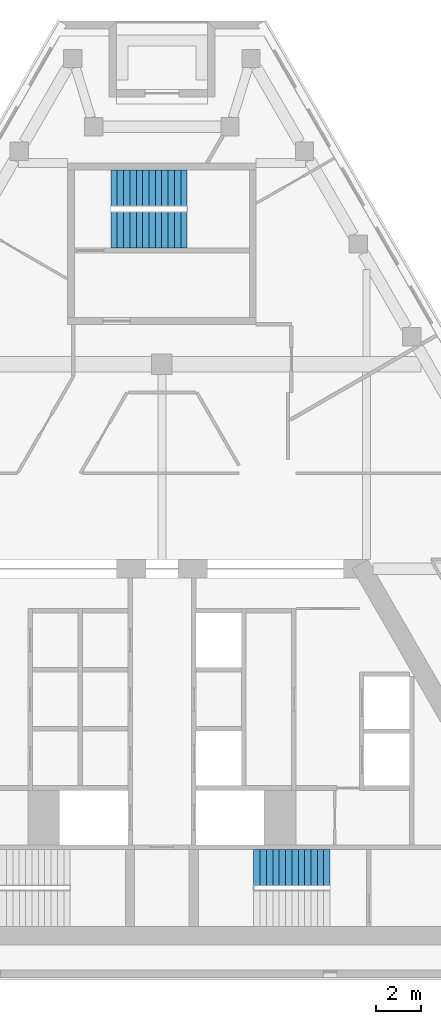
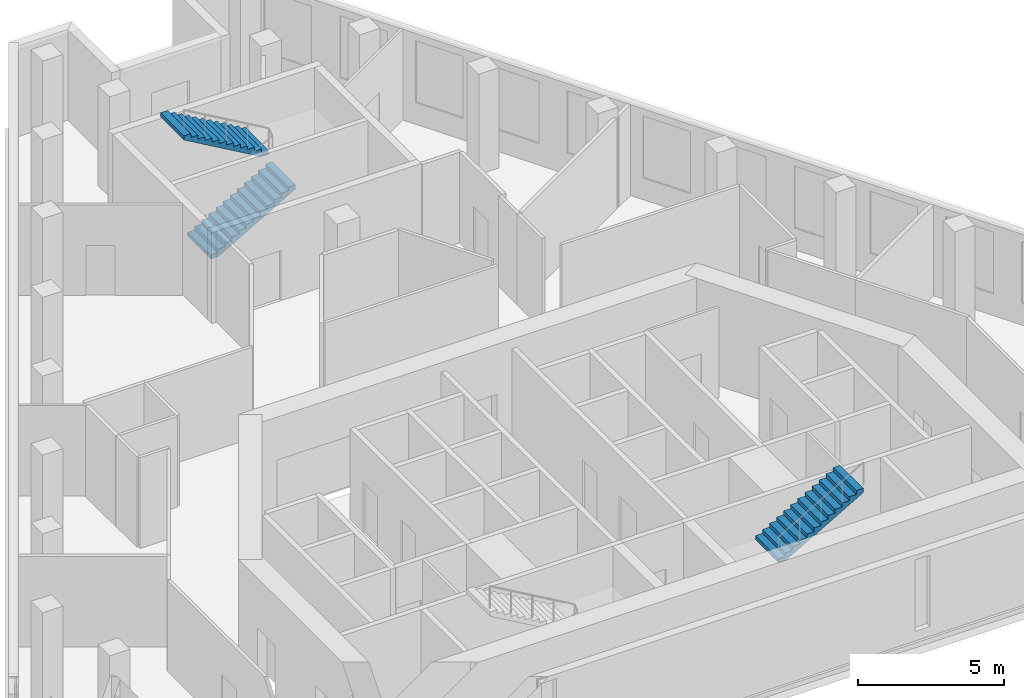
# One storey, part 7 of 8: 3 stair flights, 2 elements without a shape of their own.
"""IFC4 building model written with IfcOpenShell, lengths in metres."""

import ifcopenshell
import ifcopenshell.guid

model = None  # the IFC model being written
_history = None  # IfcOwnerHistory: only IFC2X3 demands one
_inside = {}  # id of a spatial element -> (the spatial element, [elements in it])
_under = {}  # id of a project, library or spatial element -> (it, [spatial elements below it])
_declared = {}  # id of a project -> (the project, [libraries it declares])
_typed = {}  # id of a type object -> (the type object, [elements of that type])
_made_of = {}  # id of a material, layer set ... -> (it, [elements and type objects made of it])


def new_model(schema):
    """Start an empty IFC model of exactly this schema.

    Asked for "IFC4X3", IfcOpenShell would pick the latest addendum, in which some entities
    have other attributes; the version numbers below select the first issue.
    IFC2X3 requires an IfcOwnerHistory on every rooted entity: one is made here for all.
    """
    global model, _history
    if schema == "IFC4X3":
        model = ifcopenshell.file(schema_version=(4, 3, 0, 0))
    else:
        model = ifcopenshell.file(schema=schema)
    _inside.clear()
    _under.clear()
    _declared.clear()
    _typed.clear()
    _made_of.clear()
    _history = None
    if model.schema == "IFC2X3":
        org = make("IfcOrganization", Name="unknown")
        user = make(
            "IfcPersonAndOrganization",
            ThePerson=make("IfcPerson", FamilyName="unknown"),
            TheOrganization=org,
        )
        app = make(
            "IfcApplication",
            ApplicationDeveloper=org,
            Version="unknown",
            ApplicationFullName="unknown",
            ApplicationIdentifier="unknown",
        )
        _history = make(
            "IfcOwnerHistory",
            OwningUser=user,
            OwningApplication=app,
            ChangeAction="ADDED",
            CreationDate=0,
        )
    return model


def make(cls, **values):
    """One entity of the class cls with the attributes given. An attribute that is None is left unset."""
    return model.create_entity(
        cls, **{name: value for name, value in values.items() if value is not None}
    )


def rooted(cls, **values):
    """An entity with a GlobalId (a new one), such as an element, a storey or a relation."""
    return make(cls, GlobalId=ifcopenshell.guid.new(), OwnerHistory=_history, **values)


def si_unit(unit_type, name, prefix=None):
    """IfcSIUnit, for example si_unit("LENGTHUNIT", "METRE", prefix="MILLI")."""
    return make("IfcSIUnit", UnitType=unit_type, Prefix=prefix, Name=name)


def assignment(units):
    """IfcUnitAssignment: the units of a project."""
    return None if units is None else make("IfcUnitAssignment", Units=units)


def point(xyz):
    """IfcCartesianPoint."""
    return None if xyz is None else make("IfcCartesianPoint", Coordinates=xyz)


def direction(xyz):
    """IfcDirection."""
    return None if xyz is None else make("IfcDirection", DirectionRatios=xyz)


def frame(location, z_axis=None, x_axis=None):
    """IfcAxis2Placement3D, a coordinate frame: its origin and axes. An axis left out is left unset."""
    return make(
        "IfcAxis2Placement3D",
        Location=point(location),
        Axis=direction(z_axis),
        RefDirection=direction(x_axis),
    )


def origin():
    """The frame at (0, 0, 0) with its axes left unset."""
    return frame((0.0, 0.0, 0.0))


def place(relative_to, where):
    """IfcLocalPlacement: puts the frame where relative to a parent placement (None: the world)."""
    return make(
        "IfcLocalPlacement", PlacementRelTo=relative_to, RelativePlacement=where
    )


def context(
    kind, dimensions, precision=None, world=None, true_north=None, identifier=None
):
    """IfcGeometricRepresentationContext, for example the 3D "Model" context."""
    return make(
        "IfcGeometricRepresentationContext",
        ContextIdentifier=identifier,
        ContextType=kind,
        CoordinateSpaceDimension=dimensions,
        Precision=precision,
        WorldCoordinateSystem=world,
        TrueNorth=true_north,
    )


def subcontext(parent, identifier, kind, view, scale=None):
    """IfcGeometricRepresentationSubContext, for example "Body" below "Model"."""
    return make(
        "IfcGeometricRepresentationSubContext",
        ContextIdentifier=identifier,
        ContextType=kind,
        ParentContext=parent,
        TargetScale=scale,
        TargetView=view,
    )


def project(units=None, contexts=None):
    """IfcProject with its units and contexts."""
    return rooted(
        "IfcProject",
        Name="project",
        RepresentationContexts=contexts,
        UnitsInContext=assignment(units),
    )


def spatial(cls, under=None, at=None, **own):
    """A site, building, storey or space (cls), placed at a placement, below another one or the project."""
    s = rooted(cls, ObjectPlacement=at, **own)
    if under is not None:
        _under.setdefault(under.id(), (under, []))[1].append(s)
    return s


def polyline(points):
    """IfcPolyline through the points."""
    return make("IfcPolyline", Points=[point(p) for p in points])


def outline(outer, holes=None, kind="AREA"):
    """IfcArbitraryClosedProfileDef: a profile drawn as a closed curve; with holes, ...WithVoids."""
    if holes is None:
        return make("IfcArbitraryClosedProfileDef", ProfileType=kind, OuterCurve=outer)
    return make(
        "IfcArbitraryProfileDefWithVoids",
        ProfileType=kind,
        OuterCurve=outer,
        InnerCurves=holes,
    )


def extrude(swept, where, along, depth):
    """IfcExtrudedAreaSolid: the profile swept, set in the frame where, extruded along a direction by depth."""
    return make(
        "IfcExtrudedAreaSolid",
        SweptArea=swept,
        Position=where,
        ExtrudedDirection=direction(along),
        Depth=depth,
    )


def shape(context_of_items, identifier, shape_type, items):
    """IfcShapeRepresentation: the items that make up one representation, for example the "Body"."""
    return make(
        "IfcShapeRepresentation",
        ContextOfItems=context_of_items,
        RepresentationIdentifier=identifier,
        RepresentationType=shape_type,
        Items=items,
    )


def material(Name=None, Category=None):
    """IfcMaterial."""
    return make("IfcMaterial", Name=Name, Category=Category)


def made_of(thing, what):
    """Note that an element or type object is made of a material, layer set ...; save() writes the relation."""
    if what is not None:
        _made_of.setdefault(what.id(), (what, []))[1].append(thing)
    return thing


def type_object(cls, material=None, **own):
    """A type object (cls), such as IfcWallType, which elements share."""
    return made_of(rooted(cls, **own), material)


def element(
    cls,
    number,
    at=None,
    inside=None,
    cuts=None,
    type_object=None,
    material=None,
    context=None,
    identifier="Body",
    shape_type=None,
    held_by="IfcProductDefinitionShape",
    body=None,
    shapes=None,
    **own,
):
    """One element of the class cls, such as IfcWall. Its Tag is "e" and its number.

    at: its placement. inside: the storey or other place that contains it. cuts: it is an
    opening in that element (IfcRelVoidsElement). A single representation is given by context,
    identifier, shape_type and body (its items); several are given by shapes. held_by: the class
    of the entity that holds the representations. save() writes the other relations.
    """
    e = rooted(cls, Tag="e%d" % number, ObjectPlacement=at, **own)
    if body is not None:
        shapes = [shape(context, identifier, shape_type, body)]
    if shapes is not None:
        e.Representation = make(held_by, Representations=shapes)
    if inside is not None:
        _inside.setdefault(inside.id(), (inside, []))[1].append(e)
    if cuts is not None:
        rooted(
            "IfcRelVoidsElement", RelatingBuildingElement=cuts, RelatedOpeningElement=e
        )
    if type_object is not None:
        _typed.setdefault(type_object.id(), (type_object, []))[1].append(e)
    return made_of(e, material)


def aggregate(whole, parts):
    """IfcRelAggregates: a whole, such as a stair, and the parts it consists of."""
    return rooted("IfcRelAggregates", RelatingObject=whole, RelatedObjects=parts)


def save(model, path):
    """Write the relations noted so far, then the file.

    IfcRelAggregates (storeys below a building ...), IfcRelContainedInSpatialStructure (elements
    in a storey), IfcRelDefinesByType, IfcRelAssociatesMaterial and IfcRelDeclares: one each for
    every whole, place, type object, material and project.
    """
    for whole, parts in _under.values():
        aggregate(whole, parts)
    for where, things in _inside.values():
        rooted(
            "IfcRelContainedInSpatialStructure",
            RelatedElements=things,
            RelatingStructure=where,
        )
    for kind, things in _typed.values():
        rooted("IfcRelDefinesByType", RelatedObjects=things, RelatingType=kind)
    for what, things in _made_of.values():
        rooted("IfcRelAssociatesMaterial", RelatedObjects=things, RelatingMaterial=what)
    for by, libraries in _declared.values():
        rooted("IfcRelDeclares", RelatingContext=by, RelatedDefinitions=libraries)
    model.write(path)


model = new_model("IFC4")

# Units and contexts
model_context = context("Model", 3, precision=1e-05, world=origin(), true_north=direction((0.0, 1.0)))
body_context = subcontext(model_context, "Body", "Model", "MODEL_VIEW")
ifc_project = project(units=[si_unit("LENGTHUNIT", "METRE"), si_unit("AREAUNIT", "SQUARE_METRE"), si_unit("VOLUMEUNIT", "CUBIC_METRE"), si_unit("PLANEANGLEUNIT", "RADIAN"), si_unit("MASSUNIT", "GRAM", prefix="KILO")], contexts=[model_context])

# Site, building, storey
site_placement = place(None, origin())
site = spatial("IfcSite", under=ifc_project, at=site_placement, CompositionType="ELEMENT")
building_placement = place(site_placement, origin())
building = spatial("IfcBuilding", under=site, at=building_placement, Name="Fogline Exchange Tower", CompositionType="ELEMENT")
storey_placement = place(building_placement, frame((0.0, 0.0, 330.89990234375)))
storey = spatial("IfcBuildingStorey", under=building, at=storey_placement, Name="L75", CompositionType="ELEMENT", Elevation=330.89990234375)

# Stair, stair flight
ifc_material = material(Name="Concrete C40", Category="concrete")
stair_type = type_object("IfcStairType", Name="STR26-1615", PredefinedType="HALF_TURN_STAIR", material=ifc_material)
stair_1_placement = place(storey_placement, origin())
stair_1 = element("IfcStair", 1, at=stair_1_placement, inside=storey, type_object=stair_type, Name="Stair ST2", PredefinedType="HALF_TURN_STAIR")
stair_flight_type = type_object("IfcStairFlightType", Name="SF13-1615", PredefinedType="STRAIGHT", material=ifc_material)
stair_flight_1_placement = place(storey_placement, frame((4.0400390625, 4.85009765625, 2.10009765625), z_axis=(0.0, 0.0, 1.0), x_axis=(1.0, 0.0, 0.0)))
stair_flight_1 = element("IfcStairFlight", 2, at=stair_flight_1_placement, type_object=stair_flight_type, Name="ST2 flight 2", NumberOfRisers=13, NumberOfTreads=12, PredefinedType="STRAIGHT", RiserHeight=0.161538462, TreadLength=0.28, context=body_context, shape_type="SweptSolid", body=[
    extrude(outline(polyline([(0.0, 0.0), (0.0, 0.16162109375), (0.280029296875, 0.16162109375), (0.280029296875, 0.322998046875), (0.56005859375, 0.322998046875), (0.56005859375, 0.484619140625), (0.840087890625, 0.484619140625), (0.840087890625, 0.646240234375), (1.1201171875, 0.646240234375), (1.1201171875, 0.8076171875), (1.39990234375, 0.8076171875), (1.39990234375, 0.96923828125), (1.679931640625, 0.96923828125), (1.679931640625, 1.130859375), (1.9599609375, 1.130859375), (1.9599609375, 1.292236328125), (2.239990234375, 1.292236328125), (2.239990234375, 1.453857421875), (2.52001953125, 1.453857421875), (2.52001953125, 1.615478515625), (2.800048828125, 1.615478515625), (2.800048828125, 1.77685546875), (3.080078125, 1.77685546875), (3.080078125, 1.9384765625), (3.360107421875, 1.9384765625), (3.360107421875, 2.10009765625), (3.360107421875, 1.765380859375), (0.300048828125, 0.0), (0.0, 0.0)])), frame((0.0, 0.800048828125, 0.0), z_axis=(0.0, -1.0, 0.0), x_axis=(1.0, 0.0, 0.0)), (0.0, 0.0, 1.0), 1.60009765625),
])
aggregate(stair_1, [stair_flight_1])

# Stair, stair flights
stair_2_placement = place(storey_placement, origin())
stair_2 = element("IfcStair", 3, at=stair_2_placement, inside=storey, type_object=stair_type, Name="Stair ST3", PredefinedType="HALF_TURN_STAIR")
stair_flight_2_placement = place(storey_placement, frame((-2.25, 32.906982421875, 0.0), z_axis=(0.0, 0.0, 1.0), x_axis=(1.0, 0.0, 0.0)))
stair_flight_2 = element("IfcStairFlight", 4, at=stair_flight_2_placement, type_object=stair_flight_type, Name="ST3 flight 1", NumberOfRisers=13, NumberOfTreads=12, PredefinedType="STRAIGHT", RiserHeight=0.161538462, TreadLength=0.28, context=body_context, shape_type="SweptSolid", body=[
    extrude(outline(polyline([(0.0, 0.0), (0.0, 0.16162109375), (0.280029296875, 0.16162109375), (0.280029296875, 0.322998046875), (0.56005859375, 0.322998046875), (0.56005859375, 0.484619140625), (0.840087890625, 0.484619140625), (0.840087890625, 0.646240234375), (1.1201171875, 0.646240234375), (1.1201171875, 0.8076171875), (1.39990234375, 0.8076171875), (1.39990234375, 0.96923828125), (1.679931640625, 0.96923828125), (1.679931640625, 1.130859375), (1.9599609375, 1.130859375), (1.9599609375, 1.292236328125), (2.239990234375, 1.292236328125), (2.239990234375, 1.453857421875), (2.52001953125, 1.453857421875), (2.52001953125, 1.615478515625), (2.800048828125, 1.615478515625), (2.800048828125, 1.77685546875), (3.080078125, 1.77685546875), (3.080078125, 1.9384765625), (3.360107421875, 1.9384765625), (3.360107421875, 2.10009765625), (3.360107421875, 1.765380859375), (0.300048828125, 0.0), (0.0, 0.0)])), frame((0.0, 0.800048828125, 0.0), z_axis=(0.0, -1.0, 0.0), x_axis=(1.0, 0.0, 0.0)), (0.0, 0.0, 1.0), 1.60009765625),
])
stair_flight_3_placement = place(storey_placement, frame((1.110107421875, 34.757080078125, 2.10009765625), z_axis=(0.0, 0.0, 1.0), x_axis=(-1.0, 0.0, 0.0)))
stair_flight_3 = element("IfcStairFlight", 5, at=stair_flight_3_placement, type_object=stair_flight_type, Name="ST3 flight 2", NumberOfRisers=13, NumberOfTreads=12, PredefinedType="STRAIGHT", RiserHeight=0.161538462, TreadLength=0.28, context=body_context, shape_type="SweptSolid", body=[
    extrude(outline(polyline([(0.0, 0.0), (0.0, 0.16162109375), (0.280029296875, 0.16162109375), (0.280029296875, 0.322998046875), (0.56005859375, 0.322998046875), (0.56005859375, 0.484619140625), (0.840087890625, 0.484619140625), (0.840087890625, 0.646240234375), (1.1201171875, 0.646240234375), (1.1201171875, 0.8076171875), (1.39990234375, 0.8076171875), (1.39990234375, 0.96923828125), (1.679931640625, 0.96923828125), (1.679931640625, 1.130859375), (1.9599609375, 1.130859375), (1.9599609375, 1.292236328125), (2.239990234375, 1.292236328125), (2.239990234375, 1.453857421875), (2.52001953125, 1.453857421875), (2.52001953125, 1.615478515625), (2.800048828125, 1.615478515625), (2.800048828125, 1.77685546875), (3.080078125, 1.77685546875), (3.080078125, 1.9384765625), (3.360107421875, 1.9384765625), (3.360107421875, 2.10009765625), (3.360107421875, 1.765380859375), (0.300048828125, 0.0), (0.0, 0.0)])), frame((0.0, 0.800048828125, 0.0), z_axis=(0.0, -1.0, 0.0), x_axis=(1.0, 0.0, 0.0)), (0.0, 0.0, 1.0), 1.60009765625),
])
aggregate(stair_2, [stair_flight_2, stair_flight_3])

save(model, "model.ifc")
